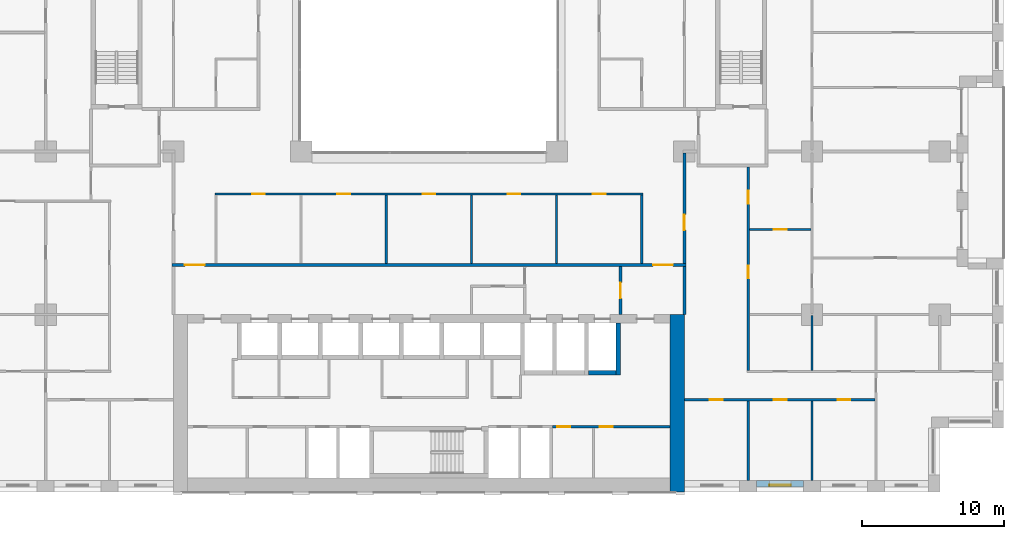
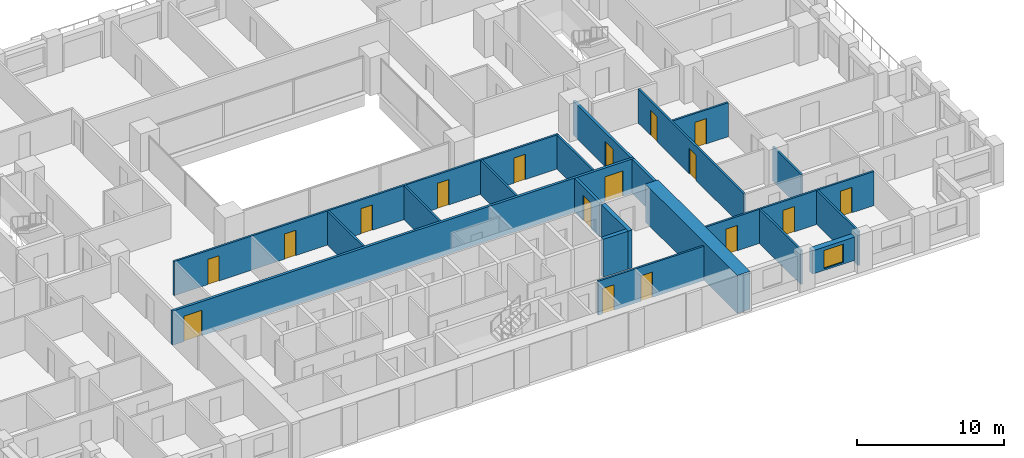
# One storey, part 12 of 19: 20 walls, 17 doors, 1 window, 18 openings.
"""IFC4 building model written with IfcOpenShell, lengths in metres."""

import ifcopenshell
import ifcopenshell.guid

model = None  # the IFC model being written
_history = None  # IfcOwnerHistory: only IFC2X3 demands one
_inside = {}  # id of a spatial element -> (the spatial element, [elements in it])
_under = {}  # id of a project, library or spatial element -> (it, [spatial elements below it])
_declared = {}  # id of a project -> (the project, [libraries it declares])
_typed = {}  # id of a type object -> (the type object, [elements of that type])
_made_of = {}  # id of a material, layer set ... -> (it, [elements and type objects made of it])


def new_model(schema):
    """Start an empty IFC model of exactly this schema.

    Asked for "IFC4X3", IfcOpenShell would pick the latest addendum, in which some entities
    have other attributes; the version numbers below select the first issue.
    IFC2X3 requires an IfcOwnerHistory on every rooted entity: one is made here for all.
    """
    global model, _history
    if schema == "IFC4X3":
        model = ifcopenshell.file(schema_version=(4, 3, 0, 0))
    else:
        model = ifcopenshell.file(schema=schema)
    _inside.clear()
    _under.clear()
    _declared.clear()
    _typed.clear()
    _made_of.clear()
    _history = None
    if model.schema == "IFC2X3":
        org = make("IfcOrganization", Name="unknown")
        user = make(
            "IfcPersonAndOrganization",
            ThePerson=make("IfcPerson", FamilyName="unknown"),
            TheOrganization=org,
        )
        app = make(
            "IfcApplication",
            ApplicationDeveloper=org,
            Version="unknown",
            ApplicationFullName="unknown",
            ApplicationIdentifier="unknown",
        )
        _history = make(
            "IfcOwnerHistory",
            OwningUser=user,
            OwningApplication=app,
            ChangeAction="ADDED",
            CreationDate=0,
        )
    return model


def make(cls, **values):
    """One entity of the class cls with the attributes given. An attribute that is None is left unset."""
    return model.create_entity(
        cls, **{name: value for name, value in values.items() if value is not None}
    )


def rooted(cls, **values):
    """An entity with a GlobalId (a new one), such as an element, a storey or a relation."""
    return make(cls, GlobalId=ifcopenshell.guid.new(), OwnerHistory=_history, **values)


def si_unit(unit_type, name, prefix=None):
    """IfcSIUnit, for example si_unit("LENGTHUNIT", "METRE", prefix="MILLI")."""
    return make("IfcSIUnit", UnitType=unit_type, Prefix=prefix, Name=name)


def assignment(units):
    """IfcUnitAssignment: the units of a project."""
    return None if units is None else make("IfcUnitAssignment", Units=units)


def point(xyz):
    """IfcCartesianPoint."""
    return None if xyz is None else make("IfcCartesianPoint", Coordinates=xyz)


def direction(xyz):
    """IfcDirection."""
    return None if xyz is None else make("IfcDirection", DirectionRatios=xyz)


def frame(location, z_axis=None, x_axis=None):
    """IfcAxis2Placement3D, a coordinate frame: its origin and axes. An axis left out is left unset."""
    return make(
        "IfcAxis2Placement3D",
        Location=point(location),
        Axis=direction(z_axis),
        RefDirection=direction(x_axis),
    )


def frame_2d(location, x_axis=None):
    """IfcAxis2Placement2D, a coordinate frame in the plane: its origin and x axis."""
    return make(
        "IfcAxis2Placement2D", Location=point(location), RefDirection=direction(x_axis)
    )


def origin():
    """The frame at (0, 0, 0) with its axes left unset."""
    return frame((0.0, 0.0, 0.0))


def place(relative_to, where):
    """IfcLocalPlacement: puts the frame where relative to a parent placement (None: the world)."""
    return make(
        "IfcLocalPlacement", PlacementRelTo=relative_to, RelativePlacement=where
    )


def context(
    kind, dimensions, precision=None, world=None, true_north=None, identifier=None
):
    """IfcGeometricRepresentationContext, for example the 3D "Model" context."""
    return make(
        "IfcGeometricRepresentationContext",
        ContextIdentifier=identifier,
        ContextType=kind,
        CoordinateSpaceDimension=dimensions,
        Precision=precision,
        WorldCoordinateSystem=world,
        TrueNorth=true_north,
    )


def subcontext(parent, identifier, kind, view, scale=None):
    """IfcGeometricRepresentationSubContext, for example "Body" below "Model"."""
    return make(
        "IfcGeometricRepresentationSubContext",
        ContextIdentifier=identifier,
        ContextType=kind,
        ParentContext=parent,
        TargetScale=scale,
        TargetView=view,
    )


def project(units=None, contexts=None):
    """IfcProject with its units and contexts."""
    return rooted(
        "IfcProject",
        Name="project",
        RepresentationContexts=contexts,
        UnitsInContext=assignment(units),
    )


def spatial(cls, under=None, at=None, **own):
    """A site, building, storey or space (cls), placed at a placement, below another one or the project."""
    s = rooted(cls, ObjectPlacement=at, **own)
    if under is not None:
        _under.setdefault(under.id(), (under, []))[1].append(s)
    return s


def profile(cls, at=None, kind="AREA", **sizes):
    """A parametric profile (cls). Its sizes go by their IFC names, for example OverallWidth=200.0."""
    return make(cls, ProfileType=kind, Position=at, **sizes)


def rectangle(**sizes):
    """IfcRectangleProfileDef."""
    return profile("IfcRectangleProfileDef", **sizes)


def extrude(swept, where, along, depth):
    """IfcExtrudedAreaSolid: the profile swept, set in the frame where, extruded along a direction by depth."""
    return make(
        "IfcExtrudedAreaSolid",
        SweptArea=swept,
        Position=where,
        ExtrudedDirection=direction(along),
        Depth=depth,
    )


def shape(context_of_items, identifier, shape_type, items):
    """IfcShapeRepresentation: the items that make up one representation, for example the "Body"."""
    return make(
        "IfcShapeRepresentation",
        ContextOfItems=context_of_items,
        RepresentationIdentifier=identifier,
        RepresentationType=shape_type,
        Items=items,
    )


def material(Name=None, Category=None):
    """IfcMaterial."""
    return make("IfcMaterial", Name=Name, Category=Category)


def layer(
    of_material, thickness, ventilated=None, Name=None, Category=None, Priority=None
):
    """IfcMaterialLayer: one layer of a wall or slab, of a material (None: an air gap)."""
    return make(
        "IfcMaterialLayer",
        Material=of_material,
        LayerThickness=thickness,
        IsVentilated=ventilated,
        Name=Name,
        Category=Category,
        Priority=Priority,
    )


def layer_set(layers, Name=None):
    """IfcMaterialLayerSet."""
    return make("IfcMaterialLayerSet", MaterialLayers=layers, LayerSetName=Name)


def made_of(thing, what):
    """Note that an element or type object is made of a material, layer set ...; save() writes the relation."""
    if what is not None:
        _made_of.setdefault(what.id(), (what, []))[1].append(thing)
    return thing


def type_object(cls, material=None, **own):
    """A type object (cls), such as IfcWallType, which elements share."""
    return made_of(rooted(cls, **own), material)


def element(
    cls,
    number,
    at=None,
    inside=None,
    cuts=None,
    type_object=None,
    material=None,
    context=None,
    identifier="Body",
    shape_type=None,
    held_by="IfcProductDefinitionShape",
    body=None,
    shapes=None,
    **own,
):
    """One element of the class cls, such as IfcWall. Its Tag is "e" and its number.

    at: its placement. inside: the storey or other place that contains it. cuts: it is an
    opening in that element (IfcRelVoidsElement). A single representation is given by context,
    identifier, shape_type and body (its items); several are given by shapes. held_by: the class
    of the entity that holds the representations. save() writes the other relations.
    """
    e = rooted(cls, Tag="e%d" % number, ObjectPlacement=at, **own)
    if body is not None:
        shapes = [shape(context, identifier, shape_type, body)]
    if shapes is not None:
        e.Representation = make(held_by, Representations=shapes)
    if inside is not None:
        _inside.setdefault(inside.id(), (inside, []))[1].append(e)
    if cuts is not None:
        rooted(
            "IfcRelVoidsElement", RelatingBuildingElement=cuts, RelatedOpeningElement=e
        )
    if type_object is not None:
        _typed.setdefault(type_object.id(), (type_object, []))[1].append(e)
    return made_of(e, material)


def fill(opening, filler):
    """IfcRelFillsElement: the door or window that sits in an opening."""
    return rooted(
        "IfcRelFillsElement",
        RelatingOpeningElement=opening,
        RelatedBuildingElement=filler,
    )


def aggregate(whole, parts):
    """IfcRelAggregates: a whole, such as a stair, and the parts it consists of."""
    return rooted("IfcRelAggregates", RelatingObject=whole, RelatedObjects=parts)


def save(model, path):
    """Write the relations noted so far, then the file.

    IfcRelAggregates (storeys below a building ...), IfcRelContainedInSpatialStructure (elements
    in a storey), IfcRelDefinesByType, IfcRelAssociatesMaterial and IfcRelDeclares: one each for
    every whole, place, type object, material and project.
    """
    for whole, parts in _under.values():
        aggregate(whole, parts)
    for where, things in _inside.values():
        rooted(
            "IfcRelContainedInSpatialStructure",
            RelatedElements=things,
            RelatingStructure=where,
        )
    for kind, things in _typed.values():
        rooted("IfcRelDefinesByType", RelatedObjects=things, RelatingType=kind)
    for what, things in _made_of.values():
        rooted("IfcRelAssociatesMaterial", RelatedObjects=things, RelatingMaterial=what)
    for by, libraries in _declared.values():
        rooted("IfcRelDeclares", RelatingContext=by, RelatedDefinitions=libraries)
    model.write(path)


model = new_model("IFC4")

# Units and contexts
model_context = context("Model", 3, precision=1e-05, world=origin(), true_north=direction((0.0, 1.0)))
body_context = subcontext(model_context, "Body", "Model", "MODEL_VIEW")
ifc_project = project(units=[si_unit("LENGTHUNIT", "METRE"), si_unit("AREAUNIT", "SQUARE_METRE"), si_unit("VOLUMEUNIT", "CUBIC_METRE"), si_unit("PLANEANGLEUNIT", "RADIAN"), si_unit("MASSUNIT", "GRAM", prefix="KILO")], contexts=[model_context])

# Site, building, storey
site_placement = place(None, origin())
site = spatial("IfcSite", under=ifc_project, at=site_placement, CompositionType="ELEMENT")
building_placement = place(site_placement, origin())
building = spatial("IfcBuilding", under=site, at=building_placement, Name="Brigalow Station Residences", CompositionType="ELEMENT")
storey_placement = place(building_placement, frame((0.0, 0.0, 25.800048828125)))
storey = spatial("IfcBuildingStorey", under=building, at=storey_placement, Name="L06", CompositionType="ELEMENT", Elevation=25.800048828125)

# Wall, opening, window
ifc_material_1 = material(Name="Clay brick masonry", Category="masonry")
ifc_layer_1 = layer(ifc_material_1, 0.449951171875)
ifc_layer_set_1 = layer_set([ifc_layer_1], Name="BRICK INFILL WALL 450")
wall_type_1 = type_object("IfcWallType", Name="BRICK INFILL WALL 450", PredefinedType="SOLIDWALL", material=ifc_layer_set_1)
wall_1_placement = place(storey_placement, frame((59.10009765625, 0.574951171875, 0.89990234375), z_axis=(0.0, 0.0, 1.0), x_axis=(1.0, 0.0, 0.0)))
wall_1 = element("IfcWall", 1, at=wall_1_placement, inside=storey, type_object=wall_type_1, Name="L06/ewall/W-L06-6", PredefinedType="SOLIDWALL", context=body_context, shape_type="SweptSolid", body=[
    extrude(rectangle(XDim=3.2998046875, YDim=0.449951171875, at=frame_2d((1.64990234375, 0.0))), origin(), (0.0, 0.0, 1.0), 1.929931640625),
])
opening_1_placement = place(wall_1_placement, frame((0.89990234375, 0.0, 0.14990234375)))
opening_1 = element("IfcOpeningElement", 2, at=opening_1_placement, cuts=wall_1, Name="Opening WT-1", PredefinedType="OPENING", context=body_context, shape_type="SweptSolid", body=[
    extrude(rectangle(XDim=1.5, YDim=1.5, at=frame_2d((0.75, 0.75))), frame((0.0, 0.23486328125, 0.0), z_axis=(0.0, -1.0, 0.0), x_axis=(1.0, 0.0, 0.0)), (0.0, 0.0, 1.0), 0.469970703125),
])
ifc_material_2 = material(Name="Anodised aluminium frame with double glazing", Category="aluminium")
window_type = type_object("IfcWindowType", Name="WINDOW 1500x1500", PartitioningType="SINGLE_PANEL", PredefinedType="WINDOW", material=ifc_material_2)
window_placement = place(opening_1_placement, origin())
window = element("IfcWindow", 3, at=window_placement, inside=storey, type_object=window_type, Name="L06/window/W-L06-6", OverallHeight=1.5, OverallWidth=1.5, PartitioningType="SINGLE_PANEL", PredefinedType="WINDOW", context=body_context, shape_type="SweptSolid", body=[
    extrude(rectangle(XDim=1.5, YDim=1.5, at=frame_2d((0.75, 0.75))), frame((0.0, -0.06494140625, 0.0), z_axis=(0.0, -1.0, 0.0), x_axis=(1.0, 0.0, 0.0)), (0.0, 0.0, 1.0), 0.06005859375),
])
fill(opening_1, window)

# Walls
ifc_material_3 = material(Name="Concrete C80", Category="concrete")
ifc_layer_2 = layer(ifc_material_3, 1.0)
ifc_layer_set_2 = layer_set([ifc_layer_2], Name="CORE SHEAR WALL 1000 C80")
wall_type_2 = type_object("IfcWallType", Name="CORE SHEAR WALL 1000 C80", PredefinedType="SHEAR", material=ifc_layer_set_2)
wall_2_placement = place(storey_placement, frame((53.5, 0.0, 0.0), z_axis=(0.0, 0.0, 1.0), x_axis=(0.0, 1.0, 0.0)))
element("IfcWall", 4, at=wall_2_placement, inside=storey, type_object=wall_type_2, Name="CORE WALL OUT-E L06", PredefinedType="SHEAR", context=body_context, shape_type="SweptSolid", body=[
    extrude(rectangle(XDim=12.5, YDim=1.0, at=frame_2d((6.25, 0.0))), origin(), (0.0, 0.0, 1.0), 3.14990234375),
])
ifc_material_4 = material(Name="Concrete C80", Category="concrete")
ifc_layer_3 = layer(ifc_material_4, 0.300048828125)
ifc_layer_set_3 = layer_set([ifc_layer_3], Name="CORE SHEAR WALL 300 C80")
wall_type_3 = type_object("IfcWallType", Name="CORE SHEAR WALL 300 C80", PredefinedType="SHEAR", material=ifc_layer_set_3)
wall_3_placement = place(storey_placement, frame((47.25, 8.39990234375, 0.0), z_axis=(0.0, 0.0, 1.0), x_axis=(1.0, 0.0, 0.0)))
element("IfcWall", 5, at=wall_3_placement, inside=storey, type_object=wall_type_3, Name="CORE WALL SH-SL1-S L06", PredefinedType="SHEAR", context=body_context, shape_type="SweptSolid", body=[
    extrude(rectangle(XDim=1.949951171875, YDim=0.300048828125, at=frame_2d((0.97509765625, 0.0))), origin(), (0.0, 0.0, 1.0), 3.14990234375),
])
wall_4_placement = place(storey_placement, frame((49.35009765625, 8.25, 0.0), z_axis=(0.0, 0.0, 1.0), x_axis=(0.0, 1.0, 0.0)))
element("IfcWall", 6, at=wall_4_placement, inside=storey, type_object=wall_type_3, Name="CORE WALL SH-SL1-E L06", PredefinedType="SHEAR", context=body_context, shape_type="SweptSolid", body=[
    extrude(rectangle(XDim=3.64990234375, YDim=0.300048828125, at=frame_2d((1.824951171875, 0.0))), origin(), (0.0, 0.0, 1.0), 3.14990234375),
])

# Wall, opening, door
ifc_material_5 = material(Name="Concrete blockwork", Category="masonry")
ifc_layer_4 = layer(ifc_material_5, 0.199951171875)
ifc_layer_set_4 = layer_set([ifc_layer_4], Name="FIRE RATED CORE PARTITION 200")
wall_type_4 = type_object("IfcWallType", Name="FIRE RATED CORE PARTITION 200", PredefinedType="PARTITIONING", material=ifc_layer_set_4)
wall_5_placement = place(storey_placement, frame((49.5, 12.5, 0.0), z_axis=(0.0, 0.0, 1.0), x_axis=(0.0, 1.0, 0.0)))
wall_5 = element("IfcWall", 7, at=wall_5_placement, inside=storey, type_object=wall_type_4, Name="PW-5015", PredefinedType="PARTITIONING", context=body_context, shape_type="SweptSolid", body=[
    extrude(rectangle(XDim=3.39990234375, YDim=0.199951171875, at=frame_2d((1.699951171875, 0.0))), origin(), (0.0, 0.0, 1.0), 2.829833984375),
])
opening_2_placement = place(wall_5_placement, frame((1.14990234375, 0.0, 0.0)))
opening_2 = element("IfcOpeningElement", 8, at=opening_2_placement, cuts=wall_5, Name="Opening D-5014", PredefinedType="OPENING", context=body_context, shape_type="SweptSolid", body=[
    extrude(rectangle(XDim=1.10009765625, YDim=2.10009765625, at=frame_2d((0.550048828125, 1.050048828125))), frame((0.0, 0.10986328125, 0.0), z_axis=(0.0, -1.0, 0.0), x_axis=(1.0, 0.0, 0.0)), (0.0, 0.0, 1.0), 0.219970703125),
])
ifc_material_6 = material(Name="Steel fire door leaf in steel frame", Category="steel")
door_type_1 = type_object("IfcDoorType", Name="LOBBY DOOR 1100 x 2100 FD60S", OperationType="SINGLE_SWING_LEFT", PredefinedType="DOOR", material=ifc_material_6)
door_1_placement = place(opening_2_placement, origin())
door_1 = element("IfcDoor", 9, at=door_1_placement, inside=storey, type_object=door_type_1, Name="D-5014", OperationType="SINGLE_SWING_LEFT", OverallHeight=2.10009765625, OverallWidth=1.10009765625, PredefinedType="DOOR", context=body_context, shape_type="SweptSolid", body=[
    extrude(rectangle(XDim=1.10009765625, YDim=2.10009765625, at=frame_2d((0.550048828125, 1.050048828125))), frame((0.0, 0.02490234375, 0.0), z_axis=(0.0, -1.0, 0.0), x_axis=(1.0, 0.0, 0.0)), (0.0, 0.0, 1.0), 0.050048828125),
])
fill(opening_2, door_1)

# Wall
wall_6_placement = place(storey_placement, frame((54.0, 12.5, 0.0), z_axis=(0.0, 0.0, 1.0), x_axis=(0.0, 1.0, 0.0)))
element("IfcWall", 10, at=wall_6_placement, inside=storey, type_object=wall_type_4, Name="PW-5016", PredefinedType="PARTITIONING", context=body_context, shape_type="SweptSolid", body=[
    extrude(rectangle(XDim=3.39990234375, YDim=0.199951171875, at=frame_2d((1.699951171875, 0.0))), origin(), (0.0, 0.0, 1.0), 2.829833984375),
])

# Wall, openings, doors
ifc_material_7 = material(Name="Plasterboard on steel stud partition", Category="steel")
ifc_layer_5 = layer(ifc_material_7, 0.14990234375)
ifc_layer_set_5 = layer_set([ifc_layer_5], Name="FLAT PARTITION 150")
wall_type_5 = type_object("IfcWallType", Name="FLAT PARTITION 150", PredefinedType="PARTITIONING", material=ifc_layer_set_5)
wall_7_placement = place(storey_placement, frame((20.925048828125, 21.0, 0.0), z_axis=(0.0, 0.0, 1.0), x_axis=(1.0, 0.0, 0.0)))
wall_7 = element("IfcWall", 11, at=wall_7_placement, inside=storey, type_object=wall_type_5, Name="PW-1A01", PredefinedType="PARTITIONING", context=body_context, shape_type="SweptSolid", body=[
    extrude(rectangle(XDim=30.14990234375, YDim=0.14990234375, at=frame_2d((15.074951171875, 0.0))), origin(), (0.0, 0.0, 1.0), 2.829833984375),
])
opening_3_placement = place(wall_7_placement, frame((2.625, 0.0, 0.0)))
opening_3 = element("IfcOpeningElement", 12, at=opening_3_placement, cuts=wall_7, Name="Opening D-1A63", PredefinedType="OPENING", context=body_context, shape_type="SweptSolid", body=[
    extrude(rectangle(XDim=0.89990234375, YDim=2.10009765625, at=frame_2d((0.449951171875, 1.050048828125))), frame((0.0, 0.0849609375, 0.0), z_axis=(0.0, -1.0, 0.0), x_axis=(1.0, 0.0, 0.0)), (0.0, 0.0, 1.0), 0.169921875),
])
opening_4_placement = place(wall_7_placement, frame((8.625, 0.0, 0.0)))
opening_4 = element("IfcOpeningElement", 13, at=opening_4_placement, cuts=wall_7, Name="Opening D-1A64", PredefinedType="OPENING", context=body_context, shape_type="SweptSolid", body=[
    extrude(rectangle(XDim=0.89990234375, YDim=2.10009765625, at=frame_2d((0.449951171875, 1.050048828125))), frame((0.0, 0.0849609375, 0.0), z_axis=(0.0, -1.0, 0.0), x_axis=(1.0, 0.0, 0.0)), (0.0, 0.0, 1.0), 0.169921875),
])
opening_5_placement = place(wall_7_placement, frame((14.625, 0.0, 0.0)))
opening_5 = element("IfcOpeningElement", 14, at=opening_5_placement, cuts=wall_7, Name="Opening D-1A65", PredefinedType="OPENING", context=body_context, shape_type="SweptSolid", body=[
    extrude(rectangle(XDim=0.89990234375, YDim=2.10009765625, at=frame_2d((0.449951171875, 1.050048828125))), frame((0.0, 0.0849609375, 0.0), z_axis=(0.0, -1.0, 0.0), x_axis=(1.0, 0.0, 0.0)), (0.0, 0.0, 1.0), 0.169921875),
])
opening_6_placement = place(wall_7_placement, frame((20.625, 0.0, 0.0)))
opening_6 = element("IfcOpeningElement", 15, at=opening_6_placement, cuts=wall_7, Name="Opening D-1A66", PredefinedType="OPENING", context=body_context, shape_type="SweptSolid", body=[
    extrude(rectangle(XDim=0.89990234375, YDim=2.10009765625, at=frame_2d((0.449951171875, 1.050048828125))), frame((0.0, 0.0849609375, 0.0), z_axis=(0.0, -1.0, 0.0), x_axis=(1.0, 0.0, 0.0)), (0.0, 0.0, 1.0), 0.169921875),
])
opening_7_placement = place(wall_7_placement, frame((26.625, 0.0, 0.0)))
opening_7 = element("IfcOpeningElement", 16, at=opening_7_placement, cuts=wall_7, Name="Opening D-1A67", PredefinedType="OPENING", context=body_context, shape_type="SweptSolid", body=[
    extrude(rectangle(XDim=0.89990234375, YDim=2.10009765625, at=frame_2d((0.449951171875, 1.050048828125))), frame((0.0, 0.0849609375, 0.0), z_axis=(0.0, -1.0, 0.0), x_axis=(1.0, 0.0, 0.0)), (0.0, 0.0, 1.0), 0.169921875),
])
ifc_material_8 = material(Name="Solid-core timber door leaf", Category="wood")
door_type_2 = type_object("IfcDoorType", Name="INTERNAL DOOR 900 x 2100", OperationType="SINGLE_SWING_LEFT", PredefinedType="DOOR", material=ifc_material_8)
door_2_placement = place(opening_3_placement, frame((0.89990234375, 0.0, 0.0), z_axis=(0.0, 0.0, 1.0), x_axis=(-1.0, 0.0, 0.0)))
door_2 = element("IfcDoor", 17, at=door_2_placement, inside=storey, type_object=door_type_2, Name="D-1A63", OperationType="SINGLE_SWING_LEFT", OverallHeight=2.10009765625, OverallWidth=0.89990234375, PredefinedType="DOOR", context=body_context, shape_type="SweptSolid", body=[
    extrude(rectangle(XDim=0.89990234375, YDim=2.10009765625, at=frame_2d((0.449951171875, 1.050048828125))), frame((0.0, 0.02490234375, 0.0), z_axis=(0.0, -1.0, 0.0), x_axis=(1.0, 0.0, 0.0)), (0.0, 0.0, 1.0), 0.050048828125),
])
fill(opening_3, door_2)
door_3_placement = place(opening_4_placement, frame((0.89990234375, 0.0, 0.0), z_axis=(0.0, 0.0, 1.0), x_axis=(-1.0, 0.0, 0.0)))
door_3 = element("IfcDoor", 18, at=door_3_placement, inside=storey, type_object=door_type_2, Name="D-1A64", OperationType="SINGLE_SWING_LEFT", OverallHeight=2.10009765625, OverallWidth=0.89990234375, PredefinedType="DOOR", context=body_context, shape_type="SweptSolid", body=[
    extrude(rectangle(XDim=0.89990234375, YDim=2.10009765625, at=frame_2d((0.449951171875, 1.050048828125))), frame((0.0, 0.02490234375, 0.0), z_axis=(0.0, -1.0, 0.0), x_axis=(1.0, 0.0, 0.0)), (0.0, 0.0, 1.0), 0.050048828125),
])
fill(opening_4, door_3)
door_4_placement = place(opening_5_placement, frame((0.89990234375, 0.0, 0.0), z_axis=(0.0, 0.0, 1.0), x_axis=(-1.0, 0.0, 0.0)))
door_4 = element("IfcDoor", 19, at=door_4_placement, inside=storey, type_object=door_type_2, Name="D-1A65", OperationType="SINGLE_SWING_RIGHT", OverallHeight=2.10009765625, OverallWidth=0.89990234375, PredefinedType="DOOR", context=body_context, shape_type="SweptSolid", body=[
    extrude(rectangle(XDim=0.89990234375, YDim=2.10009765625, at=frame_2d((0.449951171875, 1.050048828125))), frame((0.0, 0.02490234375, 0.0), z_axis=(0.0, -1.0, 0.0), x_axis=(1.0, 0.0, 0.0)), (0.0, 0.0, 1.0), 0.050048828125),
])
fill(opening_5, door_4)
door_5_placement = place(opening_6_placement, frame((0.89990234375, 0.0, 0.0), z_axis=(0.0, 0.0, 1.0), x_axis=(-1.0, 0.0, 0.0)))
door_5 = element("IfcDoor", 20, at=door_5_placement, inside=storey, type_object=door_type_2, Name="D-1A66", OperationType="SINGLE_SWING_LEFT", OverallHeight=2.10009765625, OverallWidth=0.89990234375, PredefinedType="DOOR", context=body_context, shape_type="SweptSolid", body=[
    extrude(rectangle(XDim=0.89990234375, YDim=2.10009765625, at=frame_2d((0.449951171875, 1.050048828125))), frame((0.0, 0.02490234375, 0.0), z_axis=(0.0, -1.0, 0.0), x_axis=(1.0, 0.0, 0.0)), (0.0, 0.0, 1.0), 0.050048828125),
])
fill(opening_6, door_5)
door_6_placement = place(opening_7_placement, frame((0.89990234375, 0.0, 0.0), z_axis=(0.0, 0.0, 1.0), x_axis=(-1.0, 0.0, 0.0)))
door_6 = element("IfcDoor", 21, at=door_6_placement, inside=storey, type_object=door_type_2, Name="D-1A67", OperationType="SINGLE_SWING_LEFT", OverallHeight=2.10009765625, OverallWidth=0.89990234375, PredefinedType="DOOR", context=body_context, shape_type="SweptSolid", body=[
    extrude(rectangle(XDim=0.89990234375, YDim=2.10009765625, at=frame_2d((0.449951171875, 1.050048828125))), frame((0.0, 0.02490234375, 0.0), z_axis=(0.0, -1.0, 0.0), x_axis=(1.0, 0.0, 0.0)), (0.0, 0.0, 1.0), 0.050048828125),
])
fill(opening_7, door_6)

wall_8_placement = place(storey_placement, frame((54.0, 6.5, 0.0), z_axis=(0.0, 0.0, 1.0), x_axis=(1.0, 0.0, 0.0)))
wall_8 = element("IfcWall", 22, at=wall_8_placement, inside=storey, type_object=wall_type_5, Name="PW-1A14", PredefinedType="PARTITIONING", context=body_context, shape_type="SweptSolid", body=[
    extrude(rectangle(XDim=13.425048828125, YDim=0.14990234375, at=frame_2d((6.71240234375, 0.0))), origin(), (0.0, 0.0, 1.0), 2.829833984375),
])
opening_8_placement = place(wall_8_placement, frame((1.800048828125, 0.0, 0.0)))
opening_8 = element("IfcOpeningElement", 23, at=opening_8_placement, cuts=wall_8, Name="Opening D-1A30", PredefinedType="OPENING", context=body_context, shape_type="SweptSolid", body=[
    extrude(rectangle(XDim=0.89990234375, YDim=2.10009765625, at=frame_2d((0.449951171875, 1.050048828125))), frame((0.0, 0.0849609375, 0.0), z_axis=(0.0, -1.0, 0.0), x_axis=(1.0, 0.0, 0.0)), (0.0, 0.0, 1.0), 0.169921875),
])
opening_9_placement = place(wall_8_placement, frame((6.300048828125, 0.0, 0.0)))
opening_9 = element("IfcOpeningElement", 24, at=opening_9_placement, cuts=wall_8, Name="Opening D-1A31", PredefinedType="OPENING", context=body_context, shape_type="SweptSolid", body=[
    extrude(rectangle(XDim=0.89990234375, YDim=2.10009765625, at=frame_2d((0.449951171875, 1.050048828125))), frame((0.0, 0.0849609375, 0.0), z_axis=(0.0, -1.0, 0.0), x_axis=(1.0, 0.0, 0.0)), (0.0, 0.0, 1.0), 0.169921875),
])
opening_10_placement = place(wall_8_placement, frame((10.800048828125, 0.0, 0.0)))
opening_10 = element("IfcOpeningElement", 25, at=opening_10_placement, cuts=wall_8, Name="Opening D-1A32", PredefinedType="OPENING", context=body_context, shape_type="SweptSolid", body=[
    extrude(rectangle(XDim=0.89990234375, YDim=2.10009765625, at=frame_2d((0.449951171875, 1.050048828125))), frame((0.0, 0.0849609375, 0.0), z_axis=(0.0, -1.0, 0.0), x_axis=(1.0, 0.0, 0.0)), (0.0, 0.0, 1.0), 0.169921875),
])
door_7_placement = place(opening_8_placement, frame((0.89990234375, 0.0, 0.0), z_axis=(0.0, 0.0, 1.0), x_axis=(-1.0, 0.0, 0.0)))
door_7 = element("IfcDoor", 26, at=door_7_placement, inside=storey, type_object=door_type_2, Name="D-1A30", OperationType="SINGLE_SWING_LEFT", OverallHeight=2.10009765625, OverallWidth=0.89990234375, PredefinedType="DOOR", context=body_context, shape_type="SweptSolid", body=[
    extrude(rectangle(XDim=0.89990234375, YDim=2.10009765625, at=frame_2d((0.449951171875, 1.050048828125))), frame((0.0, 0.02490234375, 0.0), z_axis=(0.0, -1.0, 0.0), x_axis=(1.0, 0.0, 0.0)), (0.0, 0.0, 1.0), 0.050048828125),
])
fill(opening_8, door_7)
door_8_placement = place(opening_9_placement, frame((0.89990234375, 0.0, 0.0), z_axis=(0.0, 0.0, 1.0), x_axis=(-1.0, 0.0, 0.0)))
door_8 = element("IfcDoor", 27, at=door_8_placement, inside=storey, type_object=door_type_2, Name="D-1A31", OperationType="SINGLE_SWING_RIGHT", OverallHeight=2.10009765625, OverallWidth=0.89990234375, PredefinedType="DOOR", context=body_context, shape_type="SweptSolid", body=[
    extrude(rectangle(XDim=0.89990234375, YDim=2.10009765625, at=frame_2d((0.449951171875, 1.050048828125))), frame((0.0, 0.02490234375, 0.0), z_axis=(0.0, -1.0, 0.0), x_axis=(1.0, 0.0, 0.0)), (0.0, 0.0, 1.0), 0.050048828125),
])
fill(opening_9, door_8)
door_9_placement = place(opening_10_placement, frame((0.89990234375, 0.0, 0.0), z_axis=(0.0, 0.0, 1.0), x_axis=(-1.0, 0.0, 0.0)))
door_9 = element("IfcDoor", 28, at=door_9_placement, inside=storey, type_object=door_type_2, Name="D-1A32", OperationType="SINGLE_SWING_LEFT", OverallHeight=2.10009765625, OverallWidth=0.89990234375, PredefinedType="DOOR", context=body_context, shape_type="SweptSolid", body=[
    extrude(rectangle(XDim=0.89990234375, YDim=2.10009765625, at=frame_2d((0.449951171875, 1.050048828125))), frame((0.0, 0.02490234375, 0.0), z_axis=(0.0, -1.0, 0.0), x_axis=(1.0, 0.0, 0.0)), (0.0, 0.0, 1.0), 0.050048828125),
])
fill(opening_10, door_9)

# Wall, opening, door
wall_9_placement = place(storey_placement, frame((58.574951171875, 18.5, 0.0), z_axis=(0.0, 0.0, 1.0), x_axis=(1.0, 0.0, 0.0)))
wall_9 = element("IfcWall", 29, at=wall_9_placement, inside=storey, type_object=wall_type_5, Name="PW-1A28", PredefinedType="PARTITIONING", context=body_context, shape_type="SweptSolid", body=[
    extrude(rectangle(XDim=4.35009765625, YDim=0.14990234375, at=frame_2d((2.175048828125, 0.0))), origin(), (0.0, 0.0, 1.0), 2.829833984375),
])
opening_11_placement = place(wall_9_placement, frame((1.72509765625, 0.0, 0.0)))
opening_11 = element("IfcOpeningElement", 30, at=opening_11_placement, cuts=wall_9, Name="Opening D-1A40", PredefinedType="OPENING", context=body_context, shape_type="SweptSolid", body=[
    extrude(rectangle(XDim=0.89990234375, YDim=2.10009765625, at=frame_2d((0.449951171875, 1.050048828125))), frame((0.0, 0.0849609375, 0.0), z_axis=(0.0, -1.0, 0.0), x_axis=(1.0, 0.0, 0.0)), (0.0, 0.0, 1.0), 0.169921875),
])
door_10_placement = place(opening_11_placement, origin())
door_10 = element("IfcDoor", 31, at=door_10_placement, inside=storey, type_object=door_type_2, Name="D-1A40", OperationType="SINGLE_SWING_RIGHT", OverallHeight=2.10009765625, OverallWidth=0.89990234375, PredefinedType="DOOR", context=body_context, shape_type="SweptSolid", body=[
    extrude(rectangle(XDim=0.89990234375, YDim=2.10009765625, at=frame_2d((0.449951171875, 1.050048828125))), frame((0.0, 0.02490234375, 0.0), z_axis=(0.0, -1.0, 0.0), x_axis=(1.0, 0.0, 0.0)), (0.0, 0.0, 1.0), 0.050048828125),
])
fill(opening_11, door_10)

# Walls
wall_10_placement = place(storey_placement, frame((51.0, 16.10009765625, 0.0), z_axis=(0.0, 0.0, 1.0), x_axis=(0.0, 1.0, 0.0)))
element("IfcWall", 32, at=wall_10_placement, inside=storey, type_object=wall_type_5, Name="PW-1A40", PredefinedType="PARTITIONING", context=body_context, shape_type="SweptSolid", body=[
    extrude(rectangle(XDim=4.824951171875, YDim=0.14990234375, at=frame_2d((2.41259765625, 0.0))), origin(), (0.0, 0.0, 1.0), 2.829833984375),
])
wall_11_placement = place(storey_placement, frame((58.5, 0.800048828125, 0.0), z_axis=(0.0, 0.0, 1.0), x_axis=(0.0, 1.0, 0.0)))
element("IfcWall", 33, at=wall_11_placement, inside=storey, type_object=wall_type_5, Name="PW-1A61", PredefinedType="PARTITIONING", context=body_context, shape_type="SweptSolid", body=[
    extrude(rectangle(XDim=5.625, YDim=0.14990234375, at=frame_2d((2.8125, 0.0))), origin(), (0.0, 0.0, 1.0), 2.829833984375),
])

# Wall, openings, doors
wall_12_placement = place(storey_placement, frame((58.5, 8.574951171875, 0.0), z_axis=(0.0, 0.0, 1.0), x_axis=(0.0, 1.0, 0.0)))
wall_12 = element("IfcWall", 34, at=wall_12_placement, inside=storey, type_object=wall_type_5, Name="PW-1A62", PredefinedType="PARTITIONING", context=body_context, shape_type="SweptSolid", body=[
    extrude(rectangle(XDim=14.324951171875, YDim=0.14990234375, at=frame_2d((7.16259765625, 0.0))), origin(), (0.0, 0.0, 1.0), 2.829833984375),
])
opening_12_placement = place(wall_12_placement, frame((6.47509765625, 0.0, 0.0)))
opening_12 = element("IfcOpeningElement", 35, at=opening_12_placement, cuts=wall_12, Name="Opening D-1A38", PredefinedType="OPENING", context=body_context, shape_type="SweptSolid", body=[
    extrude(rectangle(XDim=0.89990234375, YDim=2.10009765625, at=frame_2d((0.449951171875, 1.050048828125))), frame((0.0, 0.0849609375, 0.0), z_axis=(0.0, -1.0, 0.0), x_axis=(1.0, 0.0, 0.0)), (0.0, 0.0, 1.0), 0.169921875),
])
opening_13_placement = place(wall_12_placement, frame((11.75, 0.0, 0.0)))
opening_13 = element("IfcOpeningElement", 36, at=opening_13_placement, cuts=wall_12, Name="Opening D-1A39", PredefinedType="OPENING", context=body_context, shape_type="SweptSolid", body=[
    extrude(rectangle(XDim=0.89990234375, YDim=2.10009765625, at=frame_2d((0.449951171875, 1.050048828125))), frame((0.0, 0.0849609375, 0.0), z_axis=(0.0, -1.0, 0.0), x_axis=(1.0, 0.0, 0.0)), (0.0, 0.0, 1.0), 0.169921875),
])
door_11_placement = place(opening_12_placement, frame((0.89990234375, 0.0, 0.0), z_axis=(0.0, 0.0, 1.0), x_axis=(-1.0, 0.0, 0.0)))
door_11 = element("IfcDoor", 37, at=door_11_placement, inside=storey, type_object=door_type_2, Name="D-1A38", OperationType="SINGLE_SWING_LEFT", OverallHeight=2.10009765625, OverallWidth=0.89990234375, PredefinedType="DOOR", context=body_context, shape_type="SweptSolid", body=[
    extrude(rectangle(XDim=0.89990234375, YDim=2.10009765625, at=frame_2d((0.449951171875, 1.050048828125))), frame((0.0, 0.02490234375, 0.0), z_axis=(0.0, -1.0, 0.0), x_axis=(1.0, 0.0, 0.0)), (0.0, 0.0, 1.0), 0.050048828125),
])
fill(opening_12, door_11)
door_12_placement = place(opening_13_placement, frame((0.89990234375, 0.0, 0.0), z_axis=(0.0, 0.0, 1.0), x_axis=(-1.0, 0.0, 0.0)))
door_12 = element("IfcDoor", 38, at=door_12_placement, inside=storey, type_object=door_type_2, Name="D-1A39", OperationType="SINGLE_SWING_LEFT", OverallHeight=2.10009765625, OverallWidth=0.89990234375, PredefinedType="DOOR", context=body_context, shape_type="SweptSolid", body=[
    extrude(rectangle(XDim=0.89990234375, YDim=2.10009765625, at=frame_2d((0.449951171875, 1.050048828125))), frame((0.0, 0.02490234375, 0.0), z_axis=(0.0, -1.0, 0.0), x_axis=(1.0, 0.0, 0.0)), (0.0, 0.0, 1.0), 0.050048828125),
])
fill(opening_13, door_12)

# Walls
wall_13_placement = place(storey_placement, frame((63.0, 0.800048828125, 0.0), z_axis=(0.0, 0.0, 1.0), x_axis=(0.0, 1.0, 0.0)))
element("IfcWall", 39, at=wall_13_placement, inside=storey, type_object=wall_type_5, Name="PW-1A64", PredefinedType="PARTITIONING", context=body_context, shape_type="SweptSolid", body=[
    extrude(rectangle(XDim=5.625, YDim=0.14990234375, at=frame_2d((2.8125, 0.0))), origin(), (0.0, 0.0, 1.0), 2.829833984375),
])
wall_14_placement = place(storey_placement, frame((63.0, 8.574951171875, 0.0), z_axis=(0.0, 0.0, 1.0), x_axis=(0.0, 1.0, 0.0)))
element("IfcWall", 40, at=wall_14_placement, inside=storey, type_object=wall_type_5, Name="PW-1A65", PredefinedType="PARTITIONING", context=body_context, shape_type="SweptSolid", body=[
    extrude(rectangle(XDim=3.85009765625, YDim=0.14990234375, at=frame_2d((1.925048828125, 0.0))), origin(), (0.0, 0.0, 1.0), 2.829833984375),
])
for number, where, z_axis, x_axis, name in (
    (41, (33.0, 16.10009765625, 0.0), (0.0, 0.0, 1.0), (0.0, 1.0, 0.0), "PW-1A78"),
    (42, (39.0, 16.10009765625, 0.0), (0.0, 0.0, 1.0), (0.0, 1.0, 0.0), "PW-1A79"),
    (43, (45.0, 16.10009765625, 0.0), (0.0, 0.0, 1.0), (0.0, 1.0, 0.0), "PW-1A80"),
):
    element("IfcWall", number, at=place(storey_placement, frame(where, z_axis=z_axis, x_axis=x_axis)), inside=storey, type_object=wall_type_5, Name=name, PredefinedType="PARTITIONING", context=body_context, shape_type="SweptSolid", body=[
        extrude(rectangle(XDim=4.824951171875, YDim=0.14990234375, at=frame_2d((2.41259765625, 0.0))), origin(), (0.0, 0.0, 1.0), 2.829833984375),
    ])

# Wall, openings, doors
ifc_material_9 = material(Name="Plasterboard on steel stud partition", Category="steel")
ifc_layer_6 = layer(ifc_material_9, 0.199951171875)
ifc_layer_set_6 = layer_set([ifc_layer_6], Name="PARTY AND CORRIDOR WALL 200")
wall_type_6 = type_object("IfcWallType", Name="PARTY AND CORRIDOR WALL 200", PredefinedType="PARTITIONING", material=ifc_layer_set_6)
wall_15_placement = place(storey_placement, frame((17.89990234375, 16.0, 0.0), z_axis=(0.0, 0.0, 1.0), x_axis=(1.0, 0.0, 0.0)))
wall_15 = element("IfcWall", 44, at=wall_15_placement, inside=storey, type_object=wall_type_6, Name="PW-1A31", PredefinedType="PARTITIONING", context=body_context, shape_type="SweptSolid", body=[
    extrude(rectangle(XDim=36.2001953125, YDim=0.199951171875, at=frame_2d((18.10009765625, 0.0))), origin(), (0.0, 0.0, 1.0), 2.829833984375),
])
opening_14_placement = place(wall_15_placement, frame((0.89990234375, 0.0, 0.0)))
opening_14 = element("IfcOpeningElement", 45, at=opening_14_placement, cuts=wall_15, Name="Opening D-1A01", PredefinedType="OPENING", context=body_context, shape_type="SweptSolid", body=[
    extrude(rectangle(XDim=1.39990234375, YDim=2.10009765625, at=frame_2d((0.699951171875, 1.050048828125))), frame((0.0, 0.10986328125, 0.0), z_axis=(0.0, -1.0, 0.0), x_axis=(1.0, 0.0, 0.0)), (0.0, 0.0, 1.0), 0.219970703125),
])
opening_15_placement = place(wall_15_placement, frame((33.89990234375, 0.0, 0.0)))
opening_15 = element("IfcOpeningElement", 46, at=opening_15_placement, cuts=wall_15, Name="Opening D-1A02", PredefinedType="OPENING", context=body_context, shape_type="SweptSolid", body=[
    extrude(rectangle(XDim=1.39990234375, YDim=2.10009765625, at=frame_2d((0.699951171875, 1.050048828125))), frame((0.0, 0.10986328125, 0.0), z_axis=(0.0, -1.0, 0.0), x_axis=(1.0, 0.0, 0.0)), (0.0, 0.0, 1.0), 0.219970703125),
])
ifc_material_10 = material(Name="Solid-core timber door leaf", Category="wood")
door_type_3 = type_object("IfcDoorType", Name="CORRIDOR FIRE DOOR 1400 x 2100 FRL -/60/30", OperationType="DOUBLE_DOOR_SINGLE_SWING", PredefinedType="DOOR", material=ifc_material_10)
door_13_placement = place(opening_14_placement, frame((1.39990234375, 0.0, 0.0), z_axis=(0.0, 0.0, 1.0), x_axis=(-1.0, 0.0, 0.0)))
door_13 = element("IfcDoor", 47, at=door_13_placement, inside=storey, type_object=door_type_3, Name="D-1A01", OperationType="DOUBLE_DOOR_SINGLE_SWING", OverallHeight=2.10009765625, OverallWidth=1.39990234375, PredefinedType="DOOR", context=body_context, shape_type="SweptSolid", body=[
    extrude(rectangle(XDim=1.39990234375, YDim=2.10009765625, at=frame_2d((0.699951171875, 1.050048828125))), frame((0.0, 0.02490234375, 0.0), z_axis=(0.0, -1.0, 0.0), x_axis=(1.0, 0.0, 0.0)), (0.0, 0.0, 1.0), 0.050048828125),
])
fill(opening_14, door_13)
door_14_placement = place(opening_15_placement, frame((1.39990234375, 0.0, 0.0), z_axis=(0.0, 0.0, 1.0), x_axis=(-1.0, 0.0, 0.0)))
door_14 = element("IfcDoor", 48, at=door_14_placement, inside=storey, type_object=door_type_3, Name="D-1A02", OperationType="DOUBLE_DOOR_SINGLE_SWING", OverallHeight=2.10009765625, OverallWidth=1.39990234375, PredefinedType="DOOR", context=body_context, shape_type="SweptSolid", body=[
    extrude(rectangle(XDim=1.39990234375, YDim=2.10009765625, at=frame_2d((0.699951171875, 1.050048828125))), frame((0.0, 0.02490234375, 0.0), z_axis=(0.0, -1.0, 0.0), x_axis=(1.0, 0.0, 0.0)), (0.0, 0.0, 1.0), 0.050048828125),
])
fill(opening_15, door_14)

# Wall, opening, door
wall_16_placement = place(storey_placement, frame((54.0, 16.10009765625, 0.0), z_axis=(0.0, 0.0, 1.0), x_axis=(0.0, 1.0, 0.0)))
wall_16 = element("IfcWall", 49, at=wall_16_placement, inside=storey, type_object=wall_type_6, Name="PW-1A37", PredefinedType="PARTITIONING", context=body_context, shape_type="SweptSolid", body=[
    extrude(rectangle(XDim=7.7998046875, YDim=0.199951171875, at=frame_2d((3.89990234375, 0.0))), origin(), (0.0, 0.0, 1.0), 2.829833984375),
])
opening_16_placement = place(wall_16_placement, frame((2.35009765625, 0.0, 0.0)))
opening_16 = element("IfcOpeningElement", 50, at=opening_16_placement, cuts=wall_16, Name="Opening D-1A44", PredefinedType="OPENING", context=body_context, shape_type="SweptSolid", body=[
    extrude(rectangle(XDim=1.10009765625, YDim=2.10009765625, at=frame_2d((0.550048828125, 1.050048828125))), frame((0.0, 0.10986328125, 0.0), z_axis=(0.0, -1.0, 0.0), x_axis=(1.0, 0.0, 0.0)), (0.0, 0.0, 1.0), 0.219970703125),
])
ifc_material_11 = material(Name="Solid-core timber door leaf", Category="wood")
door_type_4 = type_object("IfcDoorType", Name="FLAT ENTRANCE DOOR 1100 x 2100 FRL -/60/30", OperationType="SINGLE_SWING_LEFT", PredefinedType="DOOR", material=ifc_material_11)
door_15_placement = place(opening_16_placement, frame((1.10009765625, 0.0, 0.0), z_axis=(0.0, 0.0, 1.0), x_axis=(-1.0, 0.0, 0.0)))
door_15 = element("IfcDoor", 51, at=door_15_placement, inside=storey, type_object=door_type_4, Name="D-1A44", OperationType="SINGLE_SWING_LEFT", OverallHeight=2.10009765625, OverallWidth=1.10009765625, PredefinedType="DOOR", context=body_context, shape_type="SweptSolid", body=[
    extrude(rectangle(XDim=1.10009765625, YDim=2.10009765625, at=frame_2d((0.550048828125, 1.050048828125))), frame((0.0, 0.02490234375, 0.0), z_axis=(0.0, -1.0, 0.0), x_axis=(1.0, 0.0, 0.0)), (0.0, 0.0, 1.0), 0.050048828125),
])
fill(opening_16, door_15)

# Wall, openings, doors
ifc_material_12 = material(Name="Plasterboard on steel studs", Category="steel")
ifc_layer_7 = layer(ifc_material_12, 0.14990234375)
ifc_layer_set_7 = layer_set([ifc_layer_7], Name="SERVICE ROOM PARTITION 150")
wall_type_7 = type_object("IfcWallType", Name="SERVICE ROOM PARTITION 150", PredefinedType="PARTITIONING", material=ifc_layer_set_7)
wall_17_placement = place(storey_placement, frame((44.699951171875, 4.60009765625, 0.0), z_axis=(0.0, 0.0, 1.0), x_axis=(1.0, 0.0, 0.0)))
wall_17 = element("IfcWall", 52, at=wall_17_placement, inside=storey, type_object=wall_type_7, Name="PW-5020", PredefinedType="PARTITIONING", context=body_context, shape_type="SweptSolid", body=[
    extrude(rectangle(XDim=8.300048828125, YDim=0.14990234375, at=frame_2d((4.14990234375, 0.0))), origin(), (0.0, 0.0, 1.0), 2.829833984375),
])
opening_17_placement = place(wall_17_placement, frame((0.35009765625, 0.0, 0.0)))
opening_17 = element("IfcOpeningElement", 53, at=opening_17_placement, cuts=wall_17, Name="Opening D-5026", PredefinedType="OPENING", context=body_context, shape_type="SweptSolid", body=[
    extrude(rectangle(XDim=0.89990234375, YDim=2.10009765625, at=frame_2d((0.449951171875, 1.050048828125))), frame((0.0, 0.0849609375, 0.0), z_axis=(0.0, -1.0, 0.0), x_axis=(1.0, 0.0, 0.0)), (0.0, 0.0, 1.0), 0.169921875),
])
opening_18_placement = place(wall_17_placement, frame((3.35009765625, 0.0, 0.0)))
opening_18 = element("IfcOpeningElement", 54, at=opening_18_placement, cuts=wall_17, Name="Opening D-5075", PredefinedType="OPENING", context=body_context, shape_type="SweptSolid", body=[
    extrude(rectangle(XDim=0.89990234375, YDim=2.10009765625, at=frame_2d((0.449951171875, 1.050048828125))), frame((0.0, 0.0849609375, 0.0), z_axis=(0.0, -1.0, 0.0), x_axis=(1.0, 0.0, 0.0)), (0.0, 0.0, 1.0), 0.169921875),
])
ifc_material_13 = material(Name="Steel door leaf in steel frame", Category="steel")
door_type_5 = type_object("IfcDoorType", Name="SERVICE ROOM DOOR 900 x 2100 FD60", OperationType="SINGLE_SWING_LEFT", PredefinedType="DOOR", material=ifc_material_13)
door_16_placement = place(opening_17_placement, frame((0.89990234375, 0.0, 0.0), z_axis=(0.0, 0.0, 1.0), x_axis=(-1.0, 0.0, 0.0)))
door_16 = element("IfcDoor", 55, at=door_16_placement, inside=storey, type_object=door_type_5, Name="D-5026", OperationType="SINGLE_SWING_RIGHT", OverallHeight=2.10009765625, OverallWidth=0.89990234375, PredefinedType="DOOR", context=body_context, shape_type="SweptSolid", body=[
    extrude(rectangle(XDim=0.89990234375, YDim=2.10009765625, at=frame_2d((0.449951171875, 1.050048828125))), frame((0.0, 0.02490234375, 0.0), z_axis=(0.0, -1.0, 0.0), x_axis=(1.0, 0.0, 0.0)), (0.0, 0.0, 1.0), 0.050048828125),
])
fill(opening_17, door_16)
door_17_placement = place(opening_18_placement, frame((0.89990234375, 0.0, 0.0), z_axis=(0.0, 0.0, 1.0), x_axis=(-1.0, 0.0, 0.0)))
door_17 = element("IfcDoor", 56, at=door_17_placement, inside=storey, type_object=door_type_5, Name="D-5075", OperationType="SINGLE_SWING_RIGHT", OverallHeight=2.10009765625, OverallWidth=0.89990234375, PredefinedType="DOOR", context=body_context, shape_type="SweptSolid", body=[
    extrude(rectangle(XDim=0.89990234375, YDim=2.10009765625, at=frame_2d((0.449951171875, 1.050048828125))), frame((0.0, 0.02490234375, 0.0), z_axis=(0.0, -1.0, 0.0), x_axis=(1.0, 0.0, 0.0)), (0.0, 0.0, 1.0), 0.050048828125),
])
fill(opening_18, door_17)

save(model, "model.ifc")
